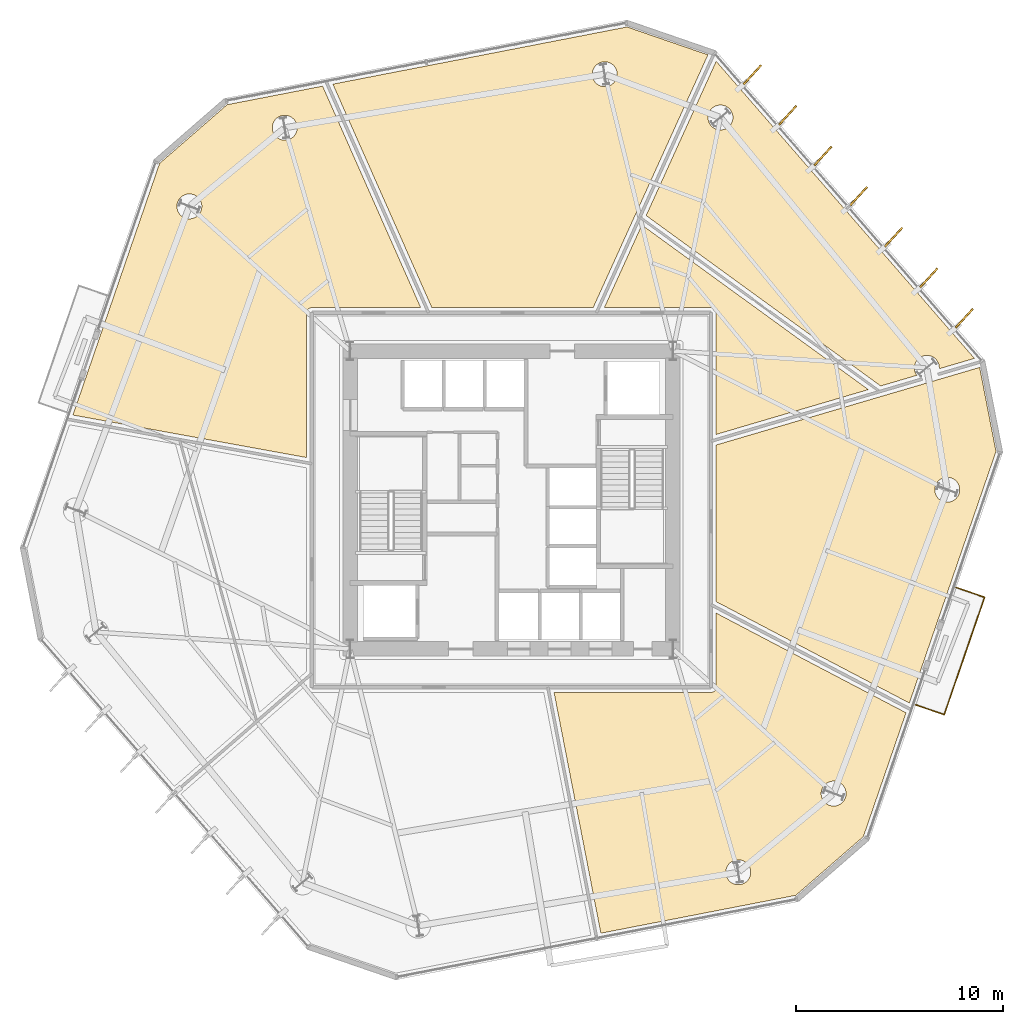
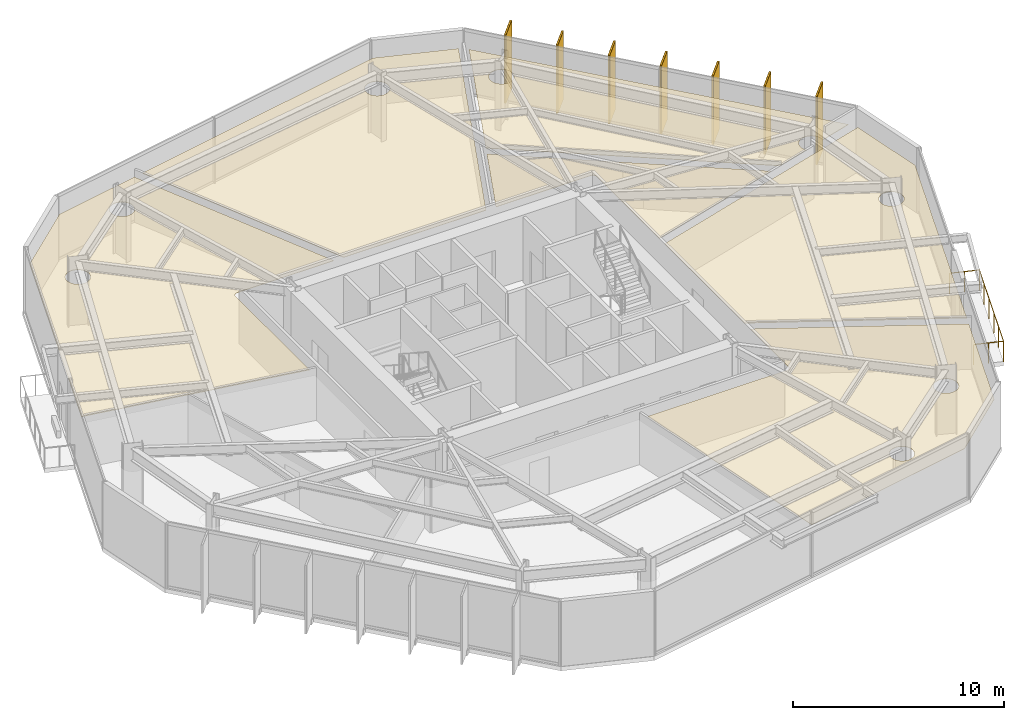
# One storey, part 10 of 10: 13 coverings, 7 shading devices, 1 railing.
"""IFC4 building model written with IfcOpenShell, lengths in metres."""

from ifc_helpers import new_model, si_unit, direction, frame, origin, origin_2d, place, context, subcontext, project, spatial, polyline, rectangle, circle, outline, extrude, material, layer, layer_set, type_object, element, save


model = new_model("IFC4")

# Units and contexts
model_context = context("Model", 3, precision=1e-05, world=origin(), true_north=direction((0.0, 1.0)))
body_context = subcontext(model_context, "Body", "Model", "MODEL_VIEW")
ifc_project = project(units=[si_unit("LENGTHUNIT", "METRE"), si_unit("AREAUNIT", "SQUARE_METRE"), si_unit("VOLUMEUNIT", "CUBIC_METRE"), si_unit("PLANEANGLEUNIT", "RADIAN"), si_unit("MASSUNIT", "GRAM", prefix="KILO")], contexts=[model_context])

# Site, building, storey
site_placement = place(None, origin())
site = spatial("IfcSite", under=ifc_project, at=site_placement, CompositionType="ELEMENT")
building_placement = place(site_placement, origin())
building = spatial("IfcBuilding", under=site, at=building_placement, Name="Kranzbogen Civic Tower", CompositionType="ELEMENT")
storey_placement = place(building_placement, frame((0.0, 0.0, 64.0)))
storey = spatial("IfcBuildingStorey", under=building, at=storey_placement, Name="L15", CompositionType="ELEMENT", Elevation=64.0)

# Coverings
ifc_material_1 = material(Name="Pale Anodised Aluminium", Category="aluminium")
ifc_layer_1 = layer(ifc_material_1, 0.02490234375, Name="Pale Anodised Aluminium")
ifc_layer_set_1 = layer_set([ifc_layer_1], Name="Pale Anodised Aluminium")
covering_type_1 = type_object("IfcCoveringType", Name="Anodised Aluminium Vertical Fin Cladding 25 mm", PredefinedType="CLADDING", material=ifc_layer_set_1)
for number, where, z_axis, x_axis, name in (
    (1, (46.8779296875, 33.778076171875, -0.139892578125), (0.0, 0.0, 1.0), (0.674624535311, 0.738161050419, 0.0), "L15 vertical fin pale-metal cladding F1-1"),
    (2, (45.172119140625, 35.740966796875, -0.139892578125), (0.0, 0.0, 1.0), (0.674624535311, 0.738161050419, 0.0), "L15 vertical fin pale-metal cladding F1-2"),
    (3, (43.467041015625, 37.702880859375, -0.139892578125), (0.0, 0.0, 1.0), (0.674624535311, 0.738161050419, 0.0), "L15 vertical fin pale-metal cladding F1-3"),
    (4, (41.760986328125, 39.6650390625, -0.139892578125), (0.0, 0.0, 1.0), (0.674624535311, 0.738161050419, 0.0), "L15 vertical fin pale-metal cladding F1-4"),
    (5, (40.054931640625, 41.626953125, -0.139892578125), (0.0, 0.0, 1.0), (0.674624535311, 0.738161050419, 0.0), "L15 vertical fin pale-metal cladding F1-5"),
    (6, (38.34912109375, 43.590087890625, -0.139892578125), (0.0, 0.0, 1.0), (0.674624535311, 0.738161050419, 0.0), "L15 vertical fin pale-metal cladding F1-6"),
    (7, (36.64404296875, 45.552001953125, -0.139892578125), (0.0, 0.0, 1.0), (0.674624535311, 0.738161050419, 0.0), "L15 vertical fin pale-metal cladding F1-7"),
):
    element("IfcCovering", number, at=place(storey_placement, frame(where, z_axis=z_axis, x_axis=x_axis)), inside=storey, type_object=covering_type_1, Name=name, PredefinedType="CLADDING", context=body_context, shape_type="SweptSolid", body=[
        extrude(rectangle(XDim=1.25, YDim=0.10009765625, at=origin_2d()), origin(), (0.0, 0.0, 1.0), 3.9599609375),
    ])

# Shading devices
ifc_material_2 = material(Name="Anodised Bronze Aluminium", Category="aluminium")
shading_device_type = type_object("IfcShadingDeviceType", Name="Anodised Bronze Vertical Facade Fin 1250x80", PredefinedType="USERDEFINED", material=ifc_material_2)
for number, where, z_axis, x_axis, name in (
    (8, (46.8779296875, 33.778076171875, -0.139892578125), (0.0, 0.0, 1.0), (0.674624535311, 0.738161050419, 0.0), "L15 vertical exterior shading fin F1-1"),
    (9, (45.172119140625, 35.740966796875, -0.139892578125), (0.0, 0.0, 1.0), (0.674624535311, 0.738161050419, 0.0), "L15 vertical exterior shading fin F1-2"),
    (10, (43.467041015625, 37.702880859375, -0.139892578125), (0.0, 0.0, 1.0), (0.674624535311, 0.738161050419, 0.0), "L15 vertical exterior shading fin F1-3"),
    (11, (41.760986328125, 39.6650390625, -0.139892578125), (0.0, 0.0, 1.0), (0.674624535311, 0.738161050419, 0.0), "L15 vertical exterior shading fin F1-4"),
    (12, (40.054931640625, 41.626953125, -0.139892578125), (0.0, 0.0, 1.0), (0.674624535311, 0.738161050419, 0.0), "L15 vertical exterior shading fin F1-5"),
    (13, (38.34912109375, 43.590087890625, -0.139892578125), (0.0, 0.0, 1.0), (0.674624535311, 0.738161050419, 0.0), "L15 vertical exterior shading fin F1-6"),
    (14, (36.64404296875, 45.552001953125, -0.139892578125), (0.0, 0.0, 1.0), (0.674624535311, 0.738161050419, 0.0), "L15 vertical exterior shading fin F1-7"),
):
    element("IfcShadingDevice", number, at=place(storey_placement, frame(where, z_axis=z_axis, x_axis=x_axis)), inside=storey, type_object=shading_device_type, Name=name, ObjectType="FIN", PredefinedType="USERDEFINED", context=body_context, shape_type="SweptSolid", body=[
        extrude(rectangle(XDim=1.25, YDim=0.080078125, at=origin_2d()), origin(), (0.0, 0.0, 1.0), 3.9599609375),
    ])

# Railing
railing_type = type_object("IfcRailingType", Name="Cantilevered Balcony Glass and Bronze Balustrade 1200", PredefinedType="BALUSTRADE", material=ifc_material_2)
railing_placement = place(storey_placement, frame((44.541015625, 15.09912109375, 0.0)))
element("IfcRailing", 15, at=railing_placement, inside=storey, type_object=railing_type, Name="L15 exterior terrace balustrade L15-TB1", PredefinedType="BALUSTRADE", context=body_context, shape_type="SweptSolid", body=[
    extrude(circle(Radius=0.02392578125, at=origin_2d()), frame((0.0, 0.0, 1.17578125), z_axis=(0.945505300908, -0.325606704408, 0.0), x_axis=(0.325606704408, 0.945505300908, 0.0)), (0.0, 0.0, 1.0), 1.4501953125),
    extrude(circle(Radius=0.02392578125, at=origin_2d()), frame((1.37109375, -0.47216796875, 1.17578125), z_axis=(0.325490276497, 0.945545387544, 0.0), x_axis=(-0.945545387544, 0.325490276497, 0.0)), (0.0, 0.0, 1.0), 5.999755859375),
    extrude(circle(Radius=0.02392578125, at=origin_2d()), frame((3.323974609375, 5.200927734375, 1.17578125), z_axis=(-0.945557123315, 0.325456182224, 0.0), x_axis=(-0.325456182224, -0.945557123315, 0.0)), (0.0, 0.0, 1.0), 1.449951171875),
    extrude(circle(Radius=0.02099609375, at=origin_2d()), origin(), (0.0, 0.0, 1.0), 1.15185546875),
    extrude(circle(Radius=0.02099609375, at=origin_2d()), frame((0.685546875, -0.236083984375, 0.0)), (0.0, 0.0, 1.0), 1.15185546875),
    extrude(circle(Radius=0.02099609375, at=origin_2d()), frame((1.37109375, -0.47216796875, 0.0)), (0.0, 0.0, 1.0), 1.15185546875),
    extrude(circle(Radius=0.02099609375, at=origin_2d()), frame((1.76171875, 0.662353515625, 0.0)), (0.0, 0.0, 1.0), 1.15185546875),
    extrude(circle(Radius=0.02099609375, at=origin_2d()), frame((2.15234375, 1.797119140625, 0.0)), (0.0, 0.0, 1.0), 1.15185546875),
    extrude(circle(Radius=0.02099609375, at=origin_2d()), frame((2.542724609375, 2.931640625, 0.0)), (0.0, 0.0, 1.0), 1.15185546875),
    extrude(circle(Radius=0.02099609375, at=origin_2d()), frame((2.933349609375, 4.06640625, 0.0)), (0.0, 0.0, 1.0), 1.15185546875),
    extrude(circle(Radius=0.02099609375, at=origin_2d()), frame((3.323974609375, 5.200927734375, 0.0)), (0.0, 0.0, 1.0), 1.15185546875),
    extrude(circle(Radius=0.02099609375, at=origin_2d()), frame((2.638427734375, 5.43701171875, 0.0)), (0.0, 0.0, 1.0), 1.15185546875),
    extrude(circle(Radius=0.02099609375, at=origin_2d()), frame((1.952880859375, 5.6728515625, 0.0)), (0.0, 0.0, 1.0), 1.15185546875),
])

# Coverings
ifc_material_3 = material(Name="Perforated Acoustic Gypsum Ceiling")
ifc_layer_2 = layer(ifc_material_3, 0.02490234375, Name="Perforated Acoustic Gypsum Ceiling")
ifc_layer_set_2 = layer_set([ifc_layer_2], Name="Perforated Acoustic Gypsum Ceiling")
covering_type_2 = type_object("IfcCoveringType", Name="Perforated Acoustic Mineral Ceiling Tile 25 mm", PredefinedType="CEILING", material=ifc_layer_set_2)
covering_1_placement = place(storey_placement, frame((0.0, 0.0, 2.75)))
element("IfcCovering", 16, at=covering_1_placement, inside=storey, type_object=covering_type_2, Name="L15 Staff Tea Pantry acoustic ceiling", PredefinedType="CEILING", context=body_context, shape_type="SweptSolid", body=[
    extrude(outline(polyline([(38.741943359375, 5.89599609375), (29.319091796875, 4.06494140625), (27.056884765625, 15.705078125), (34.64990234375, 15.705078125), (34.658935546875, 15.705078125), (34.6650390625, 15.7060546875), (34.68310546875, 15.70703125), (34.68896484375, 15.7080078125), (34.7060546875, 15.7119140625), (34.712890625, 15.712890625), (34.72998046875, 15.718017578125), (34.736083984375, 15.719970703125), (34.751953125, 15.72705078125), (34.758056640625, 15.72998046875), (34.77294921875, 15.738037109375), (34.779052734375, 15.741943359375), (34.79296875, 15.7509765625), (34.798095703125, 15.7548828125), (34.81201171875, 15.76611328125), (34.81689453125, 15.77099609375), (34.8291015625, 15.782958984375), (34.833984375, 15.7880859375), (34.844970703125, 15.802001953125), (34.84912109375, 15.806884765625), (34.85791015625, 15.821044921875), (34.862060546875, 15.826904296875), (34.8701171875, 15.842041015625), (34.873046875, 15.847900390625), (34.8798828125, 15.864013671875), (34.882080078125, 15.8701171875), (34.886962890625, 15.886962890625), (34.887939453125, 15.89404296875), (34.89208984375, 15.910888671875), (34.89306640625, 15.9169921875), (34.89404296875, 15.93505859375), (34.89501953125, 15.94091796875), (34.89501953125, 15.949951171875), (34.89501953125, 19.531005859375), (44.06591796875, 14.718017578125), (42.006103515625, 8.73388671875), (38.741943359375, 5.89599609375)]), holes=[polyline([(36.513916015625, 6.781982421875), (36.489013671875, 6.72802734375), (36.458984375, 6.677978515625), (36.423095703125, 6.6298828125), (36.384033203125, 6.5859375), (36.340087890625, 6.547119140625), (36.2919921875, 6.510986328125), (36.241943359375, 6.48095703125), (36.18798828125, 6.4560546875), (36.133056640625, 6.43603515625), (36.074951171875, 6.422119140625), (36.01708984375, 6.4130859375), (35.9580078125, 6.409912109375), (35.89892578125, 6.4130859375), (35.841064453125, 6.422119140625), (35.782958984375, 6.43603515625), (35.72802734375, 6.4560546875), (35.674072265625, 6.48095703125), (35.6240234375, 6.510986328125), (35.575927734375, 6.547119140625), (35.531982421875, 6.5859375), (35.492919921875, 6.6298828125), (35.45703125, 6.677978515625), (35.427001953125, 6.72802734375), (35.402099609375, 6.781982421875), (35.382080078125, 6.8369140625), (35.367919921875, 6.89501953125), (35.35888671875, 6.952880859375), (35.35595703125, 7.011962890625), (35.35888671875, 7.071044921875), (35.367919921875, 7.12890625), (35.382080078125, 7.18701171875), (35.402099609375, 7.241943359375), (35.427001953125, 7.2958984375), (35.45703125, 7.345947265625), (35.492919921875, 7.39404296875), (35.531982421875, 7.43798828125), (35.575927734375, 7.47705078125), (35.6240234375, 7.512939453125), (35.674072265625, 7.54296875), (35.72802734375, 7.568115234375), (35.782958984375, 7.587890625), (35.841064453125, 7.60205078125), (35.89892578125, 7.611083984375), (35.9580078125, 7.614013671875), (36.01708984375, 7.611083984375), (36.074951171875, 7.60205078125), (36.133056640625, 7.587890625), (36.18798828125, 7.568115234375), (36.241943359375, 7.54296875), (36.2919921875, 7.512939453125), (36.340087890625, 7.47705078125), (36.384033203125, 7.43798828125), (36.423095703125, 7.39404296875), (36.458984375, 7.345947265625), (36.489013671875, 7.2958984375), (36.513916015625, 7.241943359375), (36.533935546875, 7.18701171875), (36.548095703125, 7.12890625), (36.556884765625, 7.071044921875), (36.56005859375, 7.011962890625), (36.556884765625, 6.952880859375), (36.548095703125, 6.89501953125), (36.533935546875, 6.8369140625), (36.513916015625, 6.781982421875)]), polyline([(41.123046875, 10.5810546875), (41.097900390625, 10.527099609375), (41.068115234375, 10.47705078125), (41.031982421875, 10.428955078125), (40.992919921875, 10.385009765625), (40.948974609375, 10.345947265625), (40.90087890625, 10.31005859375), (40.85107421875, 10.280029296875), (40.797119140625, 10.2548828125), (40.741943359375, 10.235107421875), (40.68408203125, 10.220947265625), (40.6259765625, 10.2119140625), (40.56689453125, 10.208984375), (40.508056640625, 10.2119140625), (40.449951171875, 10.220947265625), (40.39208984375, 10.235107421875), (40.3369140625, 10.2548828125), (40.282958984375, 10.280029296875), (40.23291015625, 10.31005859375), (40.18505859375, 10.345947265625), (40.14111328125, 10.385009765625), (40.10205078125, 10.428955078125), (40.06591796875, 10.47705078125), (40.035888671875, 10.527099609375), (40.010986328125, 10.5810546875), (39.990966796875, 10.635986328125), (39.97705078125, 10.694091796875), (39.968017578125, 10.751953125), (39.965087890625, 10.81103515625), (39.968017578125, 10.8701171875), (39.97705078125, 10.927978515625), (39.990966796875, 10.986083984375), (40.010986328125, 11.041015625), (40.035888671875, 11.094970703125), (40.06591796875, 11.14501953125), (40.10205078125, 11.193115234375), (40.14111328125, 11.237060546875), (40.18505859375, 11.27587890625), (40.23291015625, 11.31201171875), (40.282958984375, 11.342041015625), (40.3369140625, 11.366943359375), (40.39208984375, 11.386962890625), (40.449951171875, 11.40087890625), (40.508056640625, 11.409912109375), (40.56689453125, 11.4130859375), (40.6259765625, 11.409912109375), (40.68408203125, 11.40087890625), (40.741943359375, 11.386962890625), (40.797119140625, 11.366943359375), (40.85107421875, 11.342041015625), (40.90087890625, 11.31201171875), (40.948974609375, 11.27587890625), (40.992919921875, 11.237060546875), (41.031982421875, 11.193115234375), (41.068115234375, 11.14501953125), (41.097900390625, 11.094970703125), (41.123046875, 11.041015625), (41.14306640625, 10.986083984375), (41.156982421875, 10.927978515625), (41.166015625, 10.8701171875), (41.1689453125, 10.81103515625), (41.166015625, 10.751953125), (41.156982421875, 10.694091796875), (41.14306640625, 10.635986328125), (41.123046875, 10.5810546875)])]), origin(), (0.0, 0.0, 1.0), 0.02490234375),
])
covering_2_placement = place(storey_placement, frame((0.0, 0.0, 2.75)))
element("IfcCovering", 17, at=covering_2_placement, inside=storey, type_object=covering_type_2, Name="L15 Hospitality Catering Kitchen acoustic ceiling", PredefinedType="CEILING", context=body_context, shape_type="SweptSolid", body=[
    extrude(outline(polyline([(34.89501953125, 20.083984375), (34.89501953125, 27.658935546875), (47.6259765625, 31.407958984375), (48.4150390625, 27.347900390625), (44.22802734375, 15.18701171875), (34.89501953125, 20.083984375)]), holes=[polyline([(46.613037109375, 25.26611328125), (46.587890625, 25.2119140625), (46.55810546875, 25.162109375), (46.52197265625, 25.114013671875), (46.48291015625, 25.070068359375), (46.43896484375, 25.031005859375), (46.39111328125, 24.9951171875), (46.341064453125, 24.965087890625), (46.287109375, 24.93994140625), (46.23193359375, 24.919921875), (46.174072265625, 24.906005859375), (46.115966796875, 24.89697265625), (46.056884765625, 24.89404296875), (45.998046875, 24.89697265625), (45.93994140625, 24.906005859375), (45.882080078125, 24.919921875), (45.826904296875, 24.93994140625), (45.77294921875, 24.965087890625), (45.722900390625, 24.9951171875), (45.675048828125, 25.031005859375), (45.631103515625, 25.070068359375), (45.592041015625, 25.114013671875), (45.555908203125, 25.162109375), (45.52587890625, 25.2119140625), (45.5009765625, 25.26611328125), (45.48095703125, 25.321044921875), (45.467041015625, 25.37890625), (45.4580078125, 25.43701171875), (45.455078125, 25.49609375), (45.4580078125, 25.554931640625), (45.467041015625, 25.613037109375), (45.48095703125, 25.6708984375), (45.5009765625, 25.72607421875), (45.52587890625, 25.780029296875), (45.555908203125, 25.830078125), (45.592041015625, 25.8779296875), (45.631103515625, 25.922119140625), (45.675048828125, 25.9609375), (45.722900390625, 25.9970703125), (45.77294921875, 26.027099609375), (45.826904296875, 26.052001953125), (45.882080078125, 26.072021484375), (45.93994140625, 26.0859375), (45.998046875, 26.094970703125), (46.056884765625, 26.097900390625), (46.115966796875, 26.094970703125), (46.174072265625, 26.0859375), (46.23193359375, 26.072021484375), (46.287109375, 26.052001953125), (46.341064453125, 26.027099609375), (46.39111328125, 25.9970703125), (46.43896484375, 25.9609375), (46.48291015625, 25.922119140625), (46.52197265625, 25.8779296875), (46.55810546875, 25.830078125), (46.587890625, 25.780029296875), (46.613037109375, 25.72607421875), (46.633056640625, 25.6708984375), (46.64697265625, 25.613037109375), (46.656005859375, 25.554931640625), (46.658935546875, 25.49609375), (46.656005859375, 25.43701171875), (46.64697265625, 25.37890625), (46.633056640625, 25.321044921875), (46.613037109375, 25.26611328125)])]), origin(), (0.0, 0.0, 1.0), 0.02490234375),
])
covering_3_placement = place(storey_placement, frame((0.0, 0.0, 2.75)))
element("IfcCovering", 18, at=covering_3_placement, inside=storey, type_object=covering_type_2, Name="L15 Legal Counsel Office acoustic ceiling", PredefinedType="CEILING", context=body_context, shape_type="SweptSolid", body=[
    extrude(outline(polyline([(34.89501953125, 34.050048828125), (34.89501953125, 34.05908203125), (34.89404296875, 34.06494140625), (34.89306640625, 34.0830078125), (34.89208984375, 34.089111328125), (34.887939453125, 34.10595703125), (34.886962890625, 34.113037109375), (34.882080078125, 34.1298828125), (34.8798828125, 34.135986328125), (34.873046875, 34.152099609375), (34.8701171875, 34.157958984375), (34.862060546875, 34.173095703125), (34.85791015625, 34.178955078125), (34.84912109375, 34.193115234375), (34.844970703125, 34.197998046875), (34.833984375, 34.2119140625), (34.8291015625, 34.217041015625), (34.81689453125, 34.22900390625), (34.81201171875, 34.23388671875), (34.798095703125, 34.2451171875), (34.79296875, 34.2490234375), (34.779052734375, 34.258056640625), (34.77294921875, 34.261962890625), (34.758056640625, 34.27001953125), (34.751953125, 34.27294921875), (34.736083984375, 34.280029296875), (34.72998046875, 34.281982421875), (34.712890625, 34.287109375), (34.7060546875, 34.2880859375), (34.68896484375, 34.2919921875), (34.68310546875, 34.29296875), (34.6650390625, 34.2939453125), (34.658935546875, 34.294921875), (34.64990234375, 34.294921875), (29.487060546875, 34.294921875), (31.300048828125, 38.2900390625), (42.2490234375, 30.3349609375), (34.89501953125, 28.169921875), (34.89501953125, 34.050048828125)])), origin(), (0.0, 0.0, 1.0), 0.02490234375),
])
covering_4_placement = place(storey_placement, frame((0.0, 0.0, 2.75)))
element("IfcCovering", 19, at=covering_4_placement, inside=storey, type_object=covering_type_2, Name="L15 Operations Security Control Room acoustic ceiling", PredefinedType="CEILING", context=body_context, shape_type="SweptSolid", body=[
    extrude(outline(polyline([(31.507080078125, 38.7451171875), (34.89111328125, 46.201904296875), (47.3720703125, 31.843994140625), (45.672119140625, 31.343994140625), (45.674072265625, 31.385986328125), (45.6708984375, 31.445068359375), (45.662109375, 31.5029296875), (45.64794921875, 31.56103515625), (45.6279296875, 31.615966796875), (45.60302734375, 31.669921875), (45.572998046875, 31.719970703125), (45.537109375, 31.76806640625), (45.498046875, 31.81201171875), (45.4541015625, 31.85107421875), (45.406005859375, 31.886962890625), (45.35595703125, 31.9169921875), (45.302001953125, 31.94189453125), (45.2470703125, 31.9619140625), (45.18896484375, 31.97607421875), (45.131103515625, 31.985107421875), (45.072021484375, 31.988037109375), (45.012939453125, 31.985107421875), (44.955078125, 31.97607421875), (44.89697265625, 31.9619140625), (44.842041015625, 31.94189453125), (44.7880859375, 31.9169921875), (44.738037109375, 31.886962890625), (44.68994140625, 31.85107421875), (44.64599609375, 31.81201171875), (44.60693359375, 31.76806640625), (44.571044921875, 31.719970703125), (44.541015625, 31.669921875), (44.51611328125, 31.615966796875), (44.49609375, 31.56103515625), (44.48193359375, 31.5029296875), (44.472900390625, 31.445068359375), (44.469970703125, 31.385986328125), (44.472900390625, 31.326904296875), (44.48193359375, 31.26904296875), (44.49609375, 31.2109375), (44.51611328125, 31.156005859375), (44.541015625, 31.10205078125), (44.571044921875, 31.052001953125), (44.591064453125, 31.02490234375), (42.842041015625, 30.510009765625), (31.507080078125, 38.7451171875)]), holes=[polyline([(35.655029296875, 43.25390625), (35.6298828125, 43.199951171875), (35.60009765625, 43.14990234375), (35.56396484375, 43.10205078125), (35.52490234375, 43.05810546875), (35.48095703125, 43.01904296875), (35.43310546875, 42.98291015625), (35.383056640625, 42.952880859375), (35.3291015625, 42.927978515625), (35.27392578125, 42.907958984375), (35.216064453125, 42.89404296875), (35.157958984375, 42.885009765625), (35.09912109375, 42.882080078125), (35.0400390625, 42.885009765625), (34.98193359375, 42.89404296875), (34.924072265625, 42.907958984375), (34.868896484375, 42.927978515625), (34.81494140625, 42.952880859375), (34.764892578125, 42.98291015625), (34.717041015625, 43.01904296875), (34.673095703125, 43.05810546875), (34.634033203125, 43.10205078125), (34.597900390625, 43.14990234375), (34.568115234375, 43.199951171875), (34.54296875, 43.25390625), (34.52294921875, 43.30908203125), (34.509033203125, 43.366943359375), (34.5, 43.425048828125), (34.4970703125, 43.48388671875), (34.5, 43.54296875), (34.509033203125, 43.60107421875), (34.52294921875, 43.658935546875), (34.54296875, 43.714111328125), (34.568115234375, 43.76806640625), (34.597900390625, 43.818115234375), (34.634033203125, 43.865966796875), (34.673095703125, 43.909912109375), (34.717041015625, 43.948974609375), (34.764892578125, 43.985107421875), (34.81494140625, 44.014892578125), (34.868896484375, 44.0400390625), (34.924072265625, 44.06005859375), (34.98193359375, 44.073974609375), (35.0400390625, 44.0830078125), (35.09912109375, 44.0859375), (35.157958984375, 44.0830078125), (35.216064453125, 44.073974609375), (35.27392578125, 44.06005859375), (35.3291015625, 44.0400390625), (35.383056640625, 44.014892578125), (35.43310546875, 43.985107421875), (35.48095703125, 43.948974609375), (35.52490234375, 43.909912109375), (35.56396484375, 43.865966796875), (35.60009765625, 43.818115234375), (35.6298828125, 43.76806640625), (35.655029296875, 43.714111328125), (35.675048828125, 43.658935546875), (35.68896484375, 43.60107421875), (35.697998046875, 43.54296875), (35.700927734375, 43.48388671875), (35.697998046875, 43.425048828125), (35.68896484375, 43.366943359375), (35.675048828125, 43.30908203125), (35.655029296875, 43.25390625)])]), origin(), (0.0, 0.0, 1.0), 0.02490234375),
])
covering_5_placement = place(storey_placement, frame((0.0, 0.0, 2.75)))
element("IfcCovering", 20, at=covering_5_placement, inside=storey, type_object=covering_type_2, Name="L15 Citizen Services Kiosk acoustic ceiling", PredefinedType="CEILING", context=body_context, shape_type="SweptSolid", body=[
    extrude(outline(polyline([(34.493896484375, 46.513916015625), (28.948974609375, 34.294921875), (21.15087890625, 34.294921875), (16.366943359375, 45.096923828125), (30.583984375, 47.860107421875), (34.493896484375, 46.513916015625)]), holes=[polyline([(30.06103515625, 45.345947265625), (30.035888671875, 45.2919921875), (30.006103515625, 45.241943359375), (29.969970703125, 45.194091796875), (29.930908203125, 45.14990234375), (29.886962890625, 45.111083984375), (29.839111328125, 45.074951171875), (29.7890625, 45.044921875), (29.735107421875, 45.02001953125), (29.679931640625, 45.0), (29.6220703125, 44.986083984375), (29.56396484375, 44.97705078125), (29.5048828125, 44.97412109375), (29.446044921875, 44.97705078125), (29.387939453125, 44.986083984375), (29.330078125, 45.0), (29.27490234375, 45.02001953125), (29.220947265625, 45.044921875), (29.1708984375, 45.074951171875), (29.123046875, 45.111083984375), (29.0791015625, 45.14990234375), (29.0400390625, 45.194091796875), (29.00390625, 45.241943359375), (28.97412109375, 45.2919921875), (28.948974609375, 45.345947265625), (28.928955078125, 45.40087890625), (28.9150390625, 45.458984375), (28.906005859375, 45.51708984375), (28.903076171875, 45.575927734375), (28.906005859375, 45.635009765625), (28.9150390625, 45.693115234375), (28.928955078125, 45.7509765625), (28.948974609375, 45.805908203125), (28.97412109375, 45.860107421875), (29.00390625, 45.909912109375), (29.0400390625, 45.9580078125), (29.0791015625, 46.001953125), (29.123046875, 46.041015625), (29.1708984375, 46.076904296875), (29.220947265625, 46.10693359375), (29.27490234375, 46.132080078125), (29.330078125, 46.152099609375), (29.387939453125, 46.166015625), (29.446044921875, 46.175048828125), (29.5048828125, 46.177978515625), (29.56396484375, 46.175048828125), (29.6220703125, 46.166015625), (29.679931640625, 46.152099609375), (29.735107421875, 46.132080078125), (29.7890625, 46.10693359375), (29.839111328125, 46.076904296875), (29.886962890625, 46.041015625), (29.930908203125, 46.001953125), (29.969970703125, 45.9580078125), (30.006103515625, 45.909912109375), (30.035888671875, 45.860107421875), (30.06103515625, 45.805908203125), (30.0810546875, 45.7509765625), (30.094970703125, 45.693115234375), (30.10400390625, 45.635009765625), (30.10693359375, 45.575927734375), (30.10400390625, 45.51708984375), (30.094970703125, 45.458984375), (30.0810546875, 45.40087890625), (30.06103515625, 45.345947265625)])]), origin(), (0.0, 0.0, 1.0), 0.02490234375),
])
covering_6_placement = place(storey_placement, frame((0.0, 0.0, 2.75)))
element("IfcCovering", 21, at=covering_6_placement, inside=storey, type_object=covering_type_2, Name="L15 Executive Briefing Conference Room acoustic ceiling", PredefinedType="CEILING", context=body_context, shape_type="SweptSolid", body=[
    extrude(outline(polyline([(11.258056640625, 44.10400390625), (15.873046875, 45.0009765625), (20.614990234375, 34.294921875), (15.35009765625, 34.294921875), (15.341064453125, 34.294921875), (15.3349609375, 34.2939453125), (15.31689453125, 34.29296875), (15.31103515625, 34.2919921875), (15.2939453125, 34.2880859375), (15.287109375, 34.287109375), (15.27001953125, 34.281982421875), (15.263916015625, 34.280029296875), (15.248046875, 34.27294921875), (15.241943359375, 34.27001953125), (15.22705078125, 34.261962890625), (15.220947265625, 34.258056640625), (15.20703125, 34.2490234375), (15.201904296875, 34.2451171875), (15.18798828125, 34.23388671875), (15.18310546875, 34.22900390625), (15.1708984375, 34.217041015625), (15.166015625, 34.2119140625), (15.155029296875, 34.197998046875), (15.15087890625, 34.193115234375), (15.14208984375, 34.178955078125), (15.137939453125, 34.173095703125), (15.1298828125, 34.157958984375), (15.126953125, 34.152099609375), (15.1201171875, 34.135986328125), (15.117919921875, 34.1298828125), (15.113037109375, 34.113037109375), (15.112060546875, 34.10595703125), (15.10791015625, 34.089111328125), (15.10693359375, 34.0830078125), (15.10595703125, 34.06494140625), (15.10498046875, 34.05908203125), (15.10498046875, 34.050048828125), (15.10498046875, 27.049072265625), (3.805908203125, 29.10400390625), (7.993896484375, 41.26611328125), (11.258056640625, 44.10400390625)]), holes=[polyline([(9.989013671875, 38.958984375), (9.964111328125, 38.905029296875), (9.93408203125, 38.85498046875), (9.89794921875, 38.806884765625), (9.85888671875, 38.762939453125), (9.81494140625, 38.72412109375), (9.76708984375, 38.68798828125), (9.717041015625, 38.657958984375), (9.6630859375, 38.633056640625), (9.60791015625, 38.613037109375), (9.550048828125, 38.59912109375), (9.491943359375, 38.590087890625), (9.43310546875, 38.5869140625), (9.3740234375, 38.590087890625), (9.31591796875, 38.59912109375), (9.258056640625, 38.613037109375), (9.202880859375, 38.633056640625), (9.14892578125, 38.657958984375), (9.09912109375, 38.68798828125), (9.051025390625, 38.72412109375), (9.007080078125, 38.762939453125), (8.968017578125, 38.806884765625), (8.931884765625, 38.85498046875), (8.902099609375, 38.905029296875), (8.876953125, 38.958984375), (8.85693359375, 39.013916015625), (8.843017578125, 39.072021484375), (8.833984375, 39.1298828125), (8.8310546875, 39.18896484375), (8.833984375, 39.248046875), (8.843017578125, 39.305908203125), (8.85693359375, 39.364013671875), (8.876953125, 39.4189453125), (8.902099609375, 39.472900390625), (8.931884765625, 39.52294921875), (8.968017578125, 39.571044921875), (9.007080078125, 39.614990234375), (9.051025390625, 39.654052734375), (9.09912109375, 39.68994140625), (9.14892578125, 39.719970703125), (9.202880859375, 39.7451171875), (9.258056640625, 39.764892578125), (9.31591796875, 39.779052734375), (9.3740234375, 39.7880859375), (9.43310546875, 39.791015625), (9.491943359375, 39.7880859375), (9.550048828125, 39.779052734375), (9.60791015625, 39.764892578125), (9.6630859375, 39.7451171875), (9.717041015625, 39.719970703125), (9.76708984375, 39.68994140625), (9.81494140625, 39.654052734375), (9.85888671875, 39.614990234375), (9.89794921875, 39.571044921875), (9.93408203125, 39.52294921875), (9.964111328125, 39.472900390625), (9.989013671875, 39.4189453125), (10.009033203125, 39.364013671875), (10.02294921875, 39.305908203125), (10.031982421875, 39.248046875), (10.034912109375, 39.18896484375), (10.031982421875, 39.1298828125), (10.02294921875, 39.072021484375), (10.009033203125, 39.013916015625), (9.989013671875, 38.958984375)]), polyline([(14.597900390625, 42.758056640625), (14.572998046875, 42.7041015625), (14.54296875, 42.654052734375), (14.507080078125, 42.60595703125), (14.468017578125, 42.56201171875), (14.424072265625, 42.52294921875), (14.3759765625, 42.487060546875), (14.325927734375, 42.45703125), (14.27197265625, 42.431884765625), (14.217041015625, 42.412109375), (14.158935546875, 42.39794921875), (14.10107421875, 42.388916015625), (14.0419921875, 42.385986328125), (13.98291015625, 42.388916015625), (13.925048828125, 42.39794921875), (13.866943359375, 42.412109375), (13.81201171875, 42.431884765625), (13.758056640625, 42.45703125), (13.7080078125, 42.487060546875), (13.659912109375, 42.52294921875), (13.615966796875, 42.56201171875), (13.576904296875, 42.60595703125), (13.541015625, 42.654052734375), (13.510986328125, 42.7041015625), (13.486083984375, 42.758056640625), (13.466064453125, 42.81298828125), (13.451904296875, 42.87109375), (13.443115234375, 42.928955078125), (13.43994140625, 42.988037109375), (13.443115234375, 43.047119140625), (13.451904296875, 43.10498046875), (13.466064453125, 43.1630859375), (13.486083984375, 43.218017578125), (13.510986328125, 43.27197265625), (13.541015625, 43.322021484375), (13.576904296875, 43.3701171875), (13.615966796875, 43.4140625), (13.659912109375, 43.452880859375), (13.7080078125, 43.489013671875), (13.758056640625, 43.51904296875), (13.81201171875, 43.5439453125), (13.866943359375, 43.56396484375), (13.925048828125, 43.577880859375), (13.98291015625, 43.5869140625), (14.0419921875, 43.590087890625), (14.10107421875, 43.5869140625), (14.158935546875, 43.577880859375), (14.217041015625, 43.56396484375), (14.27197265625, 43.5439453125), (14.325927734375, 43.51904296875), (14.3759765625, 43.489013671875), (14.424072265625, 43.452880859375), (14.468017578125, 43.4140625), (14.507080078125, 43.3701171875), (14.54296875, 43.322021484375), (14.572998046875, 43.27197265625), (14.597900390625, 43.218017578125), (14.617919921875, 43.1630859375), (14.632080078125, 43.10498046875), (14.64111328125, 43.047119140625), (14.64404296875, 42.988037109375), (14.64111328125, 42.928955078125), (14.632080078125, 42.87109375), (14.617919921875, 42.81298828125), (14.597900390625, 42.758056640625)])]), origin(), (0.0, 0.0, 1.0), 0.02490234375),
])

save(model, "model.ifc")
